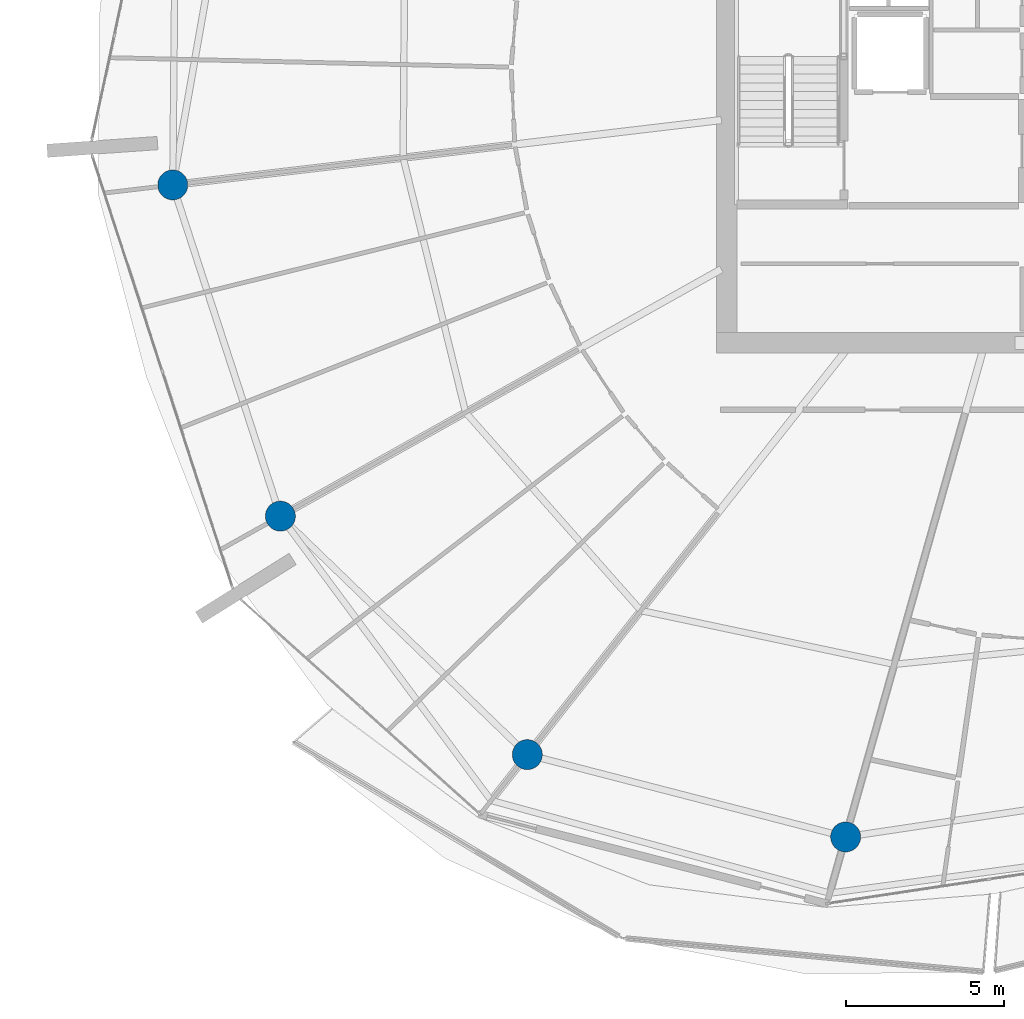
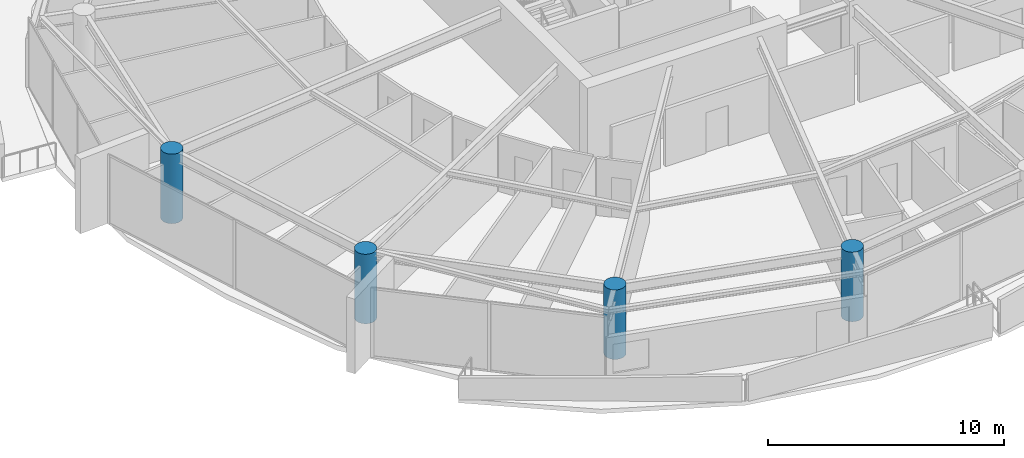
# One storey, part 1 of 30: 4 columns.
"""IFC4 building model written with IfcOpenShell, lengths in metres."""

from ifc_helpers import new_model, si_unit, direction, frame, origin, origin_2d, place, context, subcontext, project, spatial, circle, extrude, material, material_profile, profile_set, type_object, element, save


model = new_model("IFC4")

# Units and contexts
model_context = context("Model", 3, precision=1e-05, world=origin(), true_north=direction((0.0, 1.0)))
body_context = subcontext(model_context, "Body", "Model", "MODEL_VIEW")
ifc_project = project(units=[si_unit("LENGTHUNIT", "METRE"), si_unit("AREAUNIT", "SQUARE_METRE"), si_unit("VOLUMEUNIT", "CUBIC_METRE"), si_unit("PLANEANGLEUNIT", "RADIAN"), si_unit("MASSUNIT", "GRAM", prefix="KILO")], contexts=[model_context])

# Site, building, storey
site_placement = place(None, origin())
site = spatial("IfcSite", under=ifc_project, at=site_placement, CompositionType="ELEMENT")
building_placement = place(site_placement, origin())
building = spatial("IfcBuilding", under=site, at=building_placement, Name="Kazma Halo Residences", CompositionType="ELEMENT")
storey_placement = place(building_placement, frame((0.0, 0.0, 263.64990234375)))
storey = spatial("IfcBuildingStorey", under=building, at=storey_placement, Name="L66", CompositionType="ELEMENT", Elevation=263.64990234375)

# Columns
ifc_material = material(Name="Concrete C60/75", Category="concrete")
ifc_material_profile = material_profile(ifc_material, circle(Radius=0.47509765625, at=origin_2d()), Name="CIRC950")
ifc_profile_set = profile_set([ifc_material_profile], Name="Concrete C60/75")
column_type = type_object("IfcColumnType", Name="COL-PERIM-950", PredefinedType="COLUMN", material=ifc_profile_set)
for number, where, z_axis, x_axis, name in (
    (1, (19.92041015625, 38.676513671875, 0.0), (0.0, 0.0, 1.0), (1.0, 0.0, 0.0), "L66 perimeter ring column P08"),
    (2, (23.32958984375, 28.18408203125, 0.0), (0.0, 0.0, 1.0), (1.0, 0.0, 0.0), "L66 perimeter ring column P09"),
    (3, (31.15283203125, 20.62939453125, 0.0), (0.0, 0.0, 1.0), (1.0, 0.0, 0.0), "L66 perimeter ring column P10"),
    (4, (41.237060546875, 18.0205078125, 0.0), (0.0, 0.0, 1.0), (1.0, 0.0, 0.0), "L66 perimeter ring column P11"),
):
    element("IfcColumn", number, at=place(storey_placement, frame(where, z_axis=z_axis, x_axis=x_axis)), inside=storey, type_object=column_type, Name=name, PredefinedType="COLUMN", context=body_context, shape_type="SweptSolid", body=[
        extrude(circle(Radius=0.47509765625, at=origin_2d()), origin(), (0.0, 0.0, 1.0), 3.590087890625),
    ])

save(model, "model.ifc")
